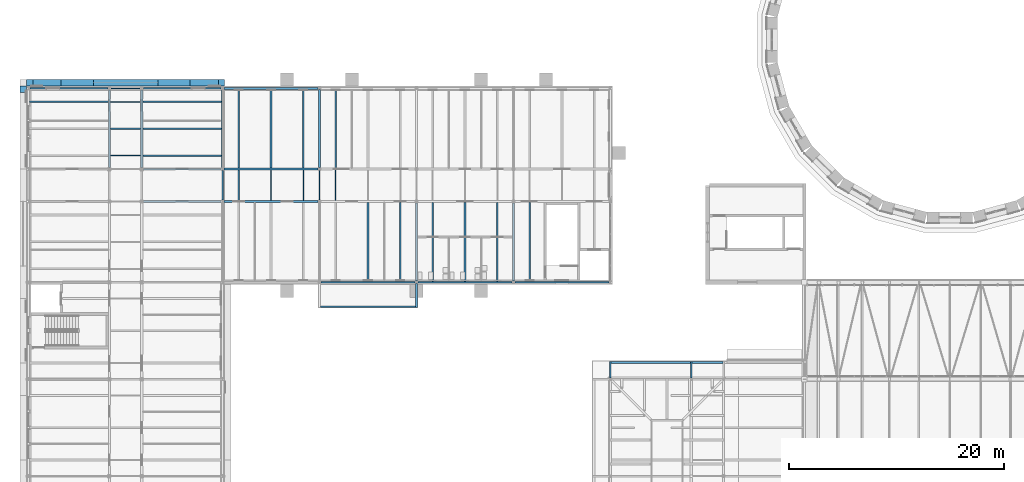
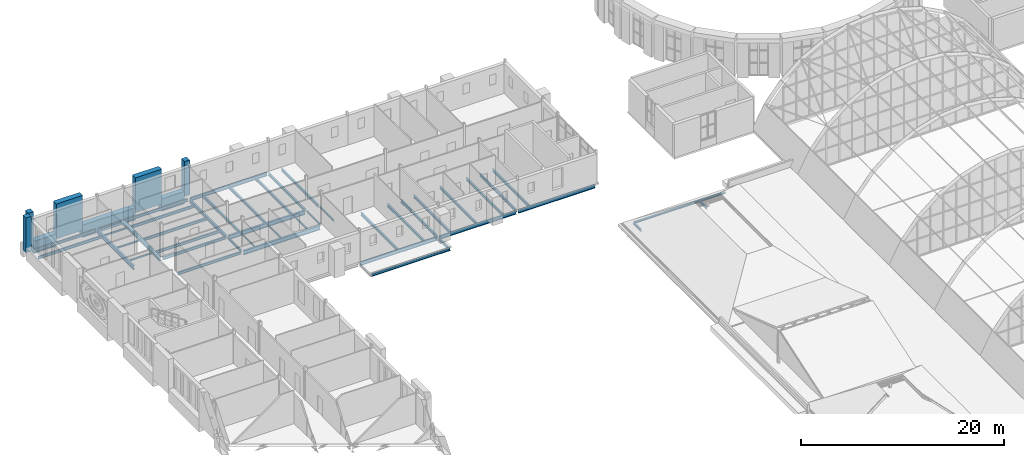
# One storey, part 49 of 121: 49 beams, 5 members.
"""IFC4 building model written with IfcOpenShell, lengths in metres."""

from ifc_helpers import new_model, si_unit, direction, frame, origin, origin_2d, place, context, subcontext, project, spatial, rectangle, i_section, extrude, material, material_profile, profile_set, type_object, element, save


model = new_model("IFC4")

# Units and contexts
model_context = context("Model", 3, precision=1e-05, world=origin(), true_north=direction((0.0, 1.0)))
body_context = subcontext(model_context, "Body", "Model", "MODEL_VIEW")
ifc_project = project(units=[si_unit("LENGTHUNIT", "METRE"), si_unit("AREAUNIT", "SQUARE_METRE"), si_unit("VOLUMEUNIT", "CUBIC_METRE"), si_unit("PLANEANGLEUNIT", "RADIAN"), si_unit("MASSUNIT", "GRAM", prefix="KILO")], contexts=[model_context])

# Site, building, storey
site_placement = place(None, origin())
site = spatial("IfcSite", under=ifc_project, at=site_placement, CompositionType="ELEMENT")
building_placement = place(site_placement, origin())
building = spatial("IfcBuilding", under=site, at=building_placement, Name="Golden Quay Civic Hall", CompositionType="ELEMENT")
storey_placement = place(building_placement, frame((0.0, 0.0, 18.60009765625)))
storey = spatial("IfcBuildingStorey", under=building, at=storey_placement, Name="L04", CompositionType="ELEMENT", Elevation=18.60009765625)

# Beams
ifc_material_1 = material(Name="Steel S355", Category="steel")
ifc_material_profile_1 = material_profile(ifc_material_1, i_section(OverallWidth=0.199951171875, OverallDepth=0.18994140625, WebThickness=0.006591796875, FlangeThickness=0.010009765625, FilletRadius=0.01806640625, at=origin_2d()), Name="HEA 200")
ifc_profile_set_1 = profile_set([ifc_material_profile_1], Name="Steel S355")
beam_type_1 = type_object("IfcBeamType", Name="Eave edge beam HEA 200", PredefinedType="BEAM", material=ifc_profile_set_1)
beam_1_placement = place(storey_placement, frame((54.0673828125, 55.550048828125, -0.34521484375), z_axis=(1.0, 0.0, 0.0), x_axis=(0.0, 1.0, 0.0)))
element("IfcBeam", 1, at=beam_1_placement, inside=storey, type_object=beam_type_1, Name="Eave edge beam HEA 200 L04 7", PredefinedType="BEAM", context=body_context, shape_type="SweptSolid", body=[
    extrude(i_section(OverallWidth=0.199951171875, OverallDepth=0.18994140625, WebThickness=0.006591796875, FlangeThickness=0.010009765625, FilletRadius=0.01806640625, at=origin_2d()), origin(), (0.0, 0.0, 1.0), 7.365234375),
])
beam_2_placement = place(storey_placement, frame((61.5673828125, 55.550048828125, -0.34521484375), z_axis=(1.0, 0.0, 0.0), x_axis=(0.0, 1.0, 0.0)))
element("IfcBeam", 2, at=beam_2_placement, inside=storey, type_object=beam_type_1, Name="Eave edge beam HEA 200 L04 8", PredefinedType="BEAM", context=body_context, shape_type="SweptSolid", body=[
    extrude(i_section(OverallWidth=0.199951171875, OverallDepth=0.18994140625, WebThickness=0.006591796875, FlangeThickness=0.010009765625, FilletRadius=0.01806640625, at=origin_2d()), origin(), (0.0, 0.0, 1.0), 2.865234375),
])
ifc_material_2 = material(Name="Steel S355", Category="steel")
ifc_material_profile_2 = material_profile(ifc_material_2, i_section(OverallWidth=0.135009765625, OverallDepth=0.27001953125, WebThickness=0.006591796875, FlangeThickness=0.01025390625, FilletRadius=0.014892578125, at=origin_2d()), Name="IPE 270")
ifc_profile_set_2 = profile_set([ifc_material_profile_2], Name="Steel S355")
beam_type_2 = type_object("IfcBeamType", Name="Eave stub IPE 270", PredefinedType="BEAM", material=ifc_profile_set_2)
for number, where, z_axis, x_axis, name in (
    (3, (54.0, 54.094970703125, -0.385009765625), (0.0, 1.0, 0.0), (-1.0, 0.0, 0.0), "Eave stub IPE 270 L04 8"),
    (4, (61.5, 54.094970703125, -0.385009765625), (0.0, 1.0, 0.0), (-1.0, 0.0, 0.0), "Eave stub IPE 270 L04 9"),
):
    element("IfcBeam", number, at=place(storey_placement, frame(where, z_axis=z_axis, x_axis=x_axis)), inside=storey, type_object=beam_type_2, Name=name, PredefinedType="BEAM", context=body_context, shape_type="SweptSolid", body=[
        extrude(i_section(OverallWidth=0.135009765625, OverallDepth=0.27001953125, WebThickness=0.006591796875, FlangeThickness=0.01025390625, FilletRadius=0.014892578125, at=origin_2d()), origin(), (0.0, 0.0, 1.0), 1.554931640625),
    ])
ifc_material_3 = material(Name="Steel S355", Category="steel")
ifc_material_profile_3 = material_profile(ifc_material_3, i_section(OverallWidth=0.159912109375, OverallDepth=0.330078125, WebThickness=0.007568359375, FlangeThickness=0.011474609375, FilletRadius=0.01806640625, at=origin_2d()), Name="IPE 330")
ifc_profile_set_3 = profile_set([ifc_material_profile_3], Name="Steel S355")
beam_type_3 = type_object("IfcBeamType", Name="Loggia head beam IPE 330", PredefinedType="BEAM", material=ifc_profile_set_3)
beam_3_placement = place(storey_placement, frame((27.080078125, 60.72998046875, -0.364990234375), z_axis=(1.0, 0.0, 0.0), x_axis=(0.0, 1.0, 0.0)))
element("IfcBeam", 5, at=beam_3_placement, inside=storey, type_object=beam_type_3, Name="Loggia head beam IPE 330 L04 1", PredefinedType="BEAM", context=body_context, shape_type="SweptSolid", body=[
    extrude(i_section(OverallWidth=0.159912109375, OverallDepth=0.330078125, WebThickness=0.007568359375, FlangeThickness=0.011474609375, FilletRadius=0.01806640625, at=origin_2d()), origin(), (0.0, 0.0, 1.0), 8.83984375),
])
ifc_material_4 = material(Name="Steel S355", Category="steel")
ifc_material_profile_4 = material_profile(ifc_material_4, i_section(OverallWidth=0.159912109375, OverallDepth=0.330078125, WebThickness=0.007568359375, FlangeThickness=0.011474609375, FilletRadius=0.01806640625, at=origin_2d()), Name="IPE 330")
ifc_profile_set_4 = profile_set([ifc_material_profile_4], Name="Steel S355")
beam_type_4 = type_object("IfcBeamType", Name="Loggia stub IPE 330", PredefinedType="BEAM", material=ifc_profile_set_4)
beam_4_placement = place(storey_placement, frame((36.0, 62.905029296875, -0.364990234375), z_axis=(0.0, -1.0, 0.0), x_axis=(1.0, 0.0, 0.0)))
element("IfcBeam", 6, at=beam_4_placement, inside=storey, type_object=beam_type_4, Name="Loggia stub IPE 330 L04 2", PredefinedType="BEAM", context=body_context, shape_type="SweptSolid", body=[
    extrude(i_section(OverallWidth=0.159912109375, OverallDepth=0.330078125, WebThickness=0.007568359375, FlangeThickness=0.011474609375, FilletRadius=0.01806640625, at=origin_2d()), origin(), (0.0, 0.0, 1.0), 2.255126953125),
])

# Members
ifc_material_5 = material(Name="Concrete C40/50", Category="concrete")
ifc_material_profile_5 = material_profile(ifc_material_5, rectangle(XDim=3.0, YDim=0.60009765625, at=origin_2d()), Name="RC 3000x600")
ifc_profile_set_5 = profile_set([ifc_material_profile_5], Name="Concrete C40/50")
member_type_1 = type_object("IfcMemberType", Name="Precast concrete facade pier 3000 x 600", PredefinedType="POST", material=ifc_profile_set_5)
for number, where, z_axis, x_axis, name in (
    (7, (4.5, 81.5, 0.0), (0.0, 0.0, 1.0), (1.0, 0.0, 0.0), "Precast concrete facade pier 3000 x 600 L04 9"),
    (8, (13.5, 81.5, 0.0), (0.0, 0.0, 1.0), (1.0, 0.0, 0.0), "Precast concrete facade pier 3000 x 600 L04 10"),
):
    element("IfcMember", number, at=place(storey_placement, frame(where, z_axis=z_axis, x_axis=x_axis)), inside=storey, type_object=member_type_1, Name=name, PredefinedType="POST", context=body_context, shape_type="SweptSolid", body=[
        extrude(rectangle(XDim=3.0, YDim=0.60009765625, at=origin_2d()), origin(), (0.0, 0.0, 1.0), 4.199951171875),
    ])
ifc_material_6 = material(Name="Concrete C40/50", Category="concrete")
ifc_material_profile_6 = material_profile(ifc_material_6, rectangle(XDim=0.60009765625, YDim=0.60009765625, at=origin_2d()), Name="RC 600x600")
ifc_profile_set_6 = profile_set([ifc_material_profile_6], Name="Concrete C40/50")
member_type_2 = type_object("IfcMemberType", Name="Precast concrete facade post 600 x 600", PredefinedType="POST", material=ifc_profile_set_6)
for number, where, z_axis, x_axis, name in (
    (9, (-0.5, 80.89990234375, 0.0), (0.0, 0.0, 1.0), (1.0, 0.0, 0.0), "Precast concrete facade post 600 x 600 L04 1"),
    (10, (0.10009765625, 81.5, 0.0), (0.0, 0.0, 1.0), (1.0, 0.0, 0.0), "Precast concrete facade post 600 x 600 L04 2"),
    (11, (17.89990234375, 81.5, 0.0), (0.0, 0.0, 1.0), (1.0, 0.0, 0.0), "Precast concrete facade post 600 x 600 L04 3"),
):
    element("IfcMember", number, at=place(storey_placement, frame(where, z_axis=z_axis, x_axis=x_axis)), inside=storey, type_object=member_type_2, Name=name, PredefinedType="POST", context=body_context, shape_type="SweptSolid", body=[
        extrude(rectangle(XDim=0.60009765625, YDim=0.60009765625, at=origin_2d()), origin(), (0.0, 0.0, 1.0), 4.199951171875),
    ])

# Beams
ifc_material_7 = material(Name="Concrete C40/50", Category="concrete")
ifc_material_profile_7 = material_profile(ifc_material_7, rectangle(XDim=0.60009765625, YDim=1.5, at=origin_2d()), Name="RC 600x1500")
ifc_profile_set_7 = profile_set([ifc_material_profile_7], Name="Concrete C40/50")
beam_type_5 = type_object("IfcBeamType", Name="Precast concrete spandrel beam 600 x 1500", PredefinedType="SPANDREL", material=ifc_profile_set_7)
for number, where, z_axis, x_axis, name in (
    (12, (0.39990234375, 81.5, -0.150146484375), (1.0, 0.0, 0.0), (0.0, 1.0, 0.0), "Precast concrete spandrel beam 600 x 1500 L04 2"),
    (13, (15.0, 81.5, -0.150146484375), (1.0, 0.0, 0.0), (0.0, 1.0, 0.0), "Precast concrete spandrel beam 600 x 1500 L04 4"),
):
    element("IfcBeam", number, at=place(storey_placement, frame(where, z_axis=z_axis, x_axis=x_axis)), inside=storey, type_object=beam_type_5, Name=name, PredefinedType="SPANDREL", context=body_context, shape_type="SweptSolid", body=[
        extrude(rectangle(XDim=0.60009765625, YDim=1.5, at=origin_2d()), origin(), (0.0, 0.0, 1.0), 2.60009765625),
    ])
beam_5_placement = place(storey_placement, frame((6.0, 81.5, -0.150146484375), z_axis=(1.0, 0.0, 0.0), x_axis=(0.0, 1.0, 0.0)))
element("IfcBeam", 14, at=beam_5_placement, inside=storey, type_object=beam_type_5, Name="Precast concrete spandrel beam 600 x 1500 L04 5", PredefinedType="SPANDREL", context=body_context, shape_type="SweptSolid", body=[
    extrude(rectangle(XDim=0.60009765625, YDim=1.5, at=origin_2d()), origin(), (0.0, 0.0, 1.0), 6.0),
])
ifc_material_8 = material(Name="Steel S355", Category="steel")
ifc_material_profile_8 = material_profile(ifc_material_8, i_section(OverallWidth=0.10009765625, OverallDepth=0.199951171875, WebThickness=0.005615234375, FlangeThickness=0.008544921875, FilletRadius=0.011962890625, at=origin_2d()), Name="IPE 200")
ifc_profile_set_8 = profile_set([ifc_material_profile_8], Name="Steel S355")
beam_type_6 = type_object("IfcBeamType", Name="Steel beam IPE 200", PredefinedType="BEAM", material=ifc_profile_set_8)
beam_6_placement = place(storey_placement, frame((7.639892578125, 81.0, -0.300048828125), z_axis=(1.0, 0.0, 0.0), x_axis=(0.0, 1.0, 0.0)))
element("IfcBeam", 15, at=beam_6_placement, inside=storey, type_object=beam_type_6, Name="Beam S81-7.5", PredefinedType="BEAM", context=body_context, shape_type="SweptSolid", body=[
    extrude(i_section(OverallWidth=0.10009765625, OverallDepth=0.199951171875, WebThickness=0.005615234375, FlangeThickness=0.008544921875, FilletRadius=0.011962890625, at=origin_2d()), origin(), (0.0, 0.0, 1.0), 2.72021484375),
])
beam_7_placement = place(storey_placement, frame((27.0, 70.635009765625, -0.300048828125), z_axis=(0.0, 1.0, 0.0), x_axis=(-1.0, 0.0, 0.0)))
element("IfcBeam", 16, at=beam_7_placement, inside=storey, type_object=beam_type_6, Name="Beam S27-70.5", PredefinedType="BEAM", context=body_context, shape_type="SweptSolid", body=[
    extrude(i_section(OverallWidth=0.10009765625, OverallDepth=0.199951171875, WebThickness=0.005615234375, FlangeThickness=0.008544921875, FilletRadius=0.011962890625, at=origin_2d()), origin(), (0.0, 0.0, 1.0), 2.72998046875),
])
ifc_material_9 = material(Name="Steel S355", Category="steel")
ifc_material_profile_9 = material_profile(ifc_material_9, i_section(OverallWidth=0.135009765625, OverallDepth=0.27001953125, WebThickness=0.006591796875, FlangeThickness=0.01025390625, FilletRadius=0.014892578125, at=origin_2d()), Name="IPE 270")
ifc_profile_set_9 = profile_set([ifc_material_profile_9], Name="Steel S355")
beam_type_7 = type_object("IfcBeamType", Name="Steel beam IPE 270", PredefinedType="BEAM", material=ifc_profile_set_9)
beam_8_placement = place(storey_placement, frame((18.0, 70.635009765625, -0.335205078125), z_axis=(0.0, 1.0, 0.0), x_axis=(-1.0, 0.0, 0.0)))
element("IfcBeam", 17, at=beam_8_placement, inside=storey, type_object=beam_type_7, Name="Beam L18-70.5", PredefinedType="BEAM", context=body_context, shape_type="SweptSolid", body=[
    extrude(i_section(OverallWidth=0.135009765625, OverallDepth=0.27001953125, WebThickness=0.006591796875, FlangeThickness=0.01025390625, FilletRadius=0.014892578125, at=origin_2d()), origin(), (0.0, 0.0, 1.0), 2.72998046875),
])
ifc_material_10 = material(Name="Steel S355", Category="steel")
ifc_material_profile_10 = material_profile(ifc_material_10, i_section(OverallWidth=0.159912109375, OverallDepth=0.330078125, WebThickness=0.007568359375, FlangeThickness=0.011474609375, FilletRadius=0.01806640625, at=origin_2d()), Name="IPE 330")
ifc_profile_set_10 = profile_set([ifc_material_profile_10], Name="Steel S355")
beam_type_8 = type_object("IfcBeamType", Name="Steel beam IPE 330", PredefinedType="BEAM", material=ifc_profile_set_10)
for number, where, z_axis, x_axis, name in (
    (18, (10.64990234375, 70.5, -0.364990234375), (1.0, 0.0, 0.0), (0.0, 1.0, 0.0), "Beam S70.5-10.5"),
    (19, (10.64990234375, 73.5, -0.364990234375), (1.0, 0.0, 0.0), (0.0, 1.0, 0.0), "Beam S73.5-10.5"),
):
    element("IfcBeam", number, at=place(storey_placement, frame(where, z_axis=z_axis, x_axis=x_axis)), inside=storey, type_object=beam_type_8, Name=name, PredefinedType="BEAM", context=body_context, shape_type="SweptSolid", body=[
        extrude(i_section(OverallWidth=0.159912109375, OverallDepth=0.330078125, WebThickness=0.007568359375, FlangeThickness=0.011474609375, FilletRadius=0.01806640625, at=origin_2d()), origin(), (0.0, 0.0, 1.0), 7.210205078125),
    ])
for number, where, z_axis, x_axis, name in (
    (20, (0.139892578125, 81.0, -0.364990234375), (1.0, 0.0, 0.0), (0.0, 1.0, 0.0), "Beam S81-0"),
    (21, (10.639892578125, 81.0, -0.364990234375), (1.0, 0.0, 0.0), (0.0, 1.0, 0.0), "Beam S81-10.5"),
):
    element("IfcBeam", number, at=place(storey_placement, frame(where, z_axis=z_axis, x_axis=x_axis)), inside=storey, type_object=beam_type_8, Name=name, PredefinedType="BEAM", context=body_context, shape_type="SweptSolid", body=[
        extrude(i_section(OverallWidth=0.159912109375, OverallDepth=0.330078125, WebThickness=0.007568359375, FlangeThickness=0.011474609375, FilletRadius=0.01806640625, at=origin_2d()), origin(), (0.0, 0.0, 1.0), 7.22021484375),
    ])
for number, where, z_axis, x_axis, name in (
    (22, (27.0, 73.635009765625, -0.364990234375), (0.0, 1.0, 0.0), (-1.0, 0.0, 0.0), "Beam S27-73.5"),
    (23, (36.0, 63.114990234375, -0.364990234375), (0.0, 1.0, 0.0), (-1.0, 0.0, 0.0), "Beam S36-63"),
    (24, (45.0, 63.114990234375, -0.364990234375), (0.0, 1.0, 0.0), (-1.0, 0.0, 0.0), "Beam S45-63"),
):
    element("IfcBeam", number, at=place(storey_placement, frame(where, z_axis=z_axis, x_axis=x_axis)), inside=storey, type_object=beam_type_8, Name=name, PredefinedType="BEAM", context=body_context, shape_type="SweptSolid", body=[
        extrude(i_section(OverallWidth=0.159912109375, OverallDepth=0.330078125, WebThickness=0.007568359375, FlangeThickness=0.011474609375, FilletRadius=0.01806640625, at=origin_2d()), origin(), (0.0, 0.0, 1.0), 7.25),
    ])
ifc_material_11 = material(Name="Steel S355", Category="steel")
ifc_material_profile_11 = material_profile(ifc_material_11, i_section(OverallWidth=0.179931640625, OverallDepth=0.39990234375, WebThickness=0.008544921875, FlangeThickness=0.013427734375, FilletRadius=0.02099609375, at=origin_2d()), Name="IPE 400")
ifc_profile_set_11 = profile_set([ifc_material_profile_11], Name="Steel S355")
beam_type_9 = type_object("IfcBeamType", Name="Steel beam IPE 400", PredefinedType="BEAM", material=ifc_profile_set_11)
beam_9_placement = place(storey_placement, frame((18.0, 73.635009765625, -0.400146484375), z_axis=(0.0, 1.0, 0.0), x_axis=(-1.0, 0.0, 0.0)))
element("IfcBeam", 25, at=beam_9_placement, inside=storey, type_object=beam_type_9, Name="Beam L18-73.5", PredefinedType="BEAM", context=body_context, shape_type="SweptSolid", body=[
    extrude(i_section(OverallWidth=0.179931640625, OverallDepth=0.39990234375, WebThickness=0.008544921875, FlangeThickness=0.013427734375, FilletRadius=0.02099609375, at=origin_2d()), origin(), (0.0, 0.0, 1.0), 7.22998046875),
])
for number, where, z_axis, x_axis, name in (
    (26, (27.1201171875, 63.0, -0.400146484375), (1.0, 0.0, 0.0), (0.0, 1.0, 0.0), "Beam L63-27"),
    (27, (36.1201171875, 63.0, -0.400146484375), (1.0, 0.0, 0.0), (0.0, 1.0, 0.0), "Beam L63-36"),
    (28, (45.1201171875, 63.0, -0.400146484375), (1.0, 0.0, 0.0), (0.0, 1.0, 0.0), "Beam L63-45"),
):
    element("IfcBeam", number, at=place(storey_placement, frame(where, z_axis=z_axis, x_axis=x_axis)), inside=storey, type_object=beam_type_9, Name=name, PredefinedType="BEAM", context=body_context, shape_type="SweptSolid", body=[
        extrude(i_section(OverallWidth=0.179931640625, OverallDepth=0.39990234375, WebThickness=0.008544921875, FlangeThickness=0.013427734375, FilletRadius=0.02099609375, at=origin_2d()), origin(), (0.0, 0.0, 1.0), 8.759765625),
    ])
beam_10_placement = place(storey_placement, frame((18.139892578125, 81.0, -0.400146484375), z_axis=(1.0, 0.0, 0.0), x_axis=(0.0, 1.0, 0.0)))
element("IfcBeam", 29, at=beam_10_placement, inside=storey, type_object=beam_type_9, Name="Beam L81-18", PredefinedType="BEAM", context=body_context, shape_type="SweptSolid", body=[
    extrude(i_section(OverallWidth=0.179931640625, OverallDepth=0.39990234375, WebThickness=0.008544921875, FlangeThickness=0.013427734375, FilletRadius=0.02099609375, at=origin_2d()), origin(), (0.0, 0.0, 1.0), 8.739990234375),
])
ifc_material_12 = material(Name="Steel S355", Category="steel")
ifc_material_profile_12 = material_profile(ifc_material_12, i_section(OverallWidth=0.199951171875, OverallDepth=0.5, WebThickness=0.01025390625, FlangeThickness=0.01611328125, FilletRadius=0.02099609375, at=origin_2d()), Name="IPE 500")
ifc_profile_set_12 = profile_set([ifc_material_profile_12], Name="Steel S355")
beam_type_10 = type_object("IfcBeamType", Name="Steel beam IPE 500", PredefinedType="BEAM", material=ifc_profile_set_12)
for number, where, z_axis, x_axis, name in (
    (30, (7.5, 73.64501953125, -0.4501953125), (0.0, 1.0, 0.0), (-1.0, 0.0, 0.0), "Beam L7.5-73.5"),
    (31, (10.5, 73.64501953125, -0.4501953125), (0.0, 1.0, 0.0), (-1.0, 0.0, 0.0), "Beam L10.5-73.5"),
):
    element("IfcBeam", number, at=place(storey_placement, frame(where, z_axis=z_axis, x_axis=x_axis)), inside=storey, type_object=beam_type_10, Name=name, PredefinedType="BEAM", context=body_context, shape_type="SweptSolid", body=[
        extrude(i_section(OverallWidth=0.199951171875, OverallDepth=0.5, WebThickness=0.01025390625, FlangeThickness=0.01611328125, FilletRadius=0.02099609375, at=origin_2d()), origin(), (0.0, 0.0, 1.0), 7.219970703125),
    ])
for number, where, z_axis, x_axis, name in (
    (32, (18.139892578125, 70.5, -0.4501953125), (1.0, 0.0, 0.0), (0.0, 1.0, 0.0), "Beam L70.5-18"),
    (33, (18.139892578125, 73.5, -0.4501953125), (1.0, 0.0, 0.0), (0.0, 1.0, 0.0), "Beam L73.5-18"),
):
    element("IfcBeam", number, at=place(storey_placement, frame(where, z_axis=z_axis, x_axis=x_axis)), inside=storey, type_object=beam_type_10, Name=name, PredefinedType="BEAM", context=body_context, shape_type="SweptSolid", body=[
        extrude(i_section(OverallWidth=0.199951171875, OverallDepth=0.5, WebThickness=0.01025390625, FlangeThickness=0.01611328125, FilletRadius=0.02099609375, at=origin_2d()), origin(), (0.0, 0.0, 1.0), 8.72021484375),
    ])
ifc_material_13 = material(Name="Steel S355", Category="steel")
ifc_material_profile_13 = material_profile(ifc_material_13, i_section(OverallWidth=0.10009765625, OverallDepth=0.199951171875, WebThickness=0.005615234375, FlangeThickness=0.008544921875, FilletRadius=0.011962890625, at=origin_2d()), Name="IPE 200")
ifc_profile_set_13 = profile_set([ifc_material_profile_13], Name="Steel S355")
beam_type_11 = type_object("IfcBeamType", Name="Steel joist IPE 200", PredefinedType="JOIST", material=ifc_profile_set_13)
for number, where, z_axis, x_axis, name in (
    (34, (7.60009765625, 74.75, -0.300048828125), (1.0, 0.0, 0.0), (0.0, 1.0, 0.0), "Joist J74.75-7.5"),
    (35, (7.60009765625, 77.25, -0.300048828125), (1.0, 0.0, 0.0), (0.0, 1.0, 0.0), "Joist J77.25-7.5"),
    (36, (7.60009765625, 79.75, -0.300048828125), (1.0, 0.0, 0.0), (0.0, 1.0, 0.0), "Joist J79.75-7.5"),
    (37, (19.5, 70.60009765625, -0.300048828125), (0.0, 1.0, 0.0), (-1.0, 0.0, 0.0), "Joist J19.5-70.5"),
    (38, (22.5, 70.60009765625, -0.300048828125), (0.0, 1.0, 0.0), (-1.0, 0.0, 0.0), "Joist J22.5-70.5"),
    (39, (25.5, 70.60009765625, -0.300048828125), (0.0, 1.0, 0.0), (-1.0, 0.0, 0.0), "Joist J25.5-70.5"),
    (40, (28.5, 70.60009765625, -0.300048828125), (0.0, 1.0, 0.0), (-1.0, 0.0, 0.0), "Joist J28.5-70.5"),
):
    element("IfcBeam", number, at=place(storey_placement, frame(where, z_axis=z_axis, x_axis=x_axis)), inside=storey, type_object=beam_type_11, Name=name, PredefinedType="JOIST", context=body_context, shape_type="SweptSolid", body=[
        extrude(i_section(OverallWidth=0.10009765625, OverallDepth=0.199951171875, WebThickness=0.005615234375, FlangeThickness=0.008544921875, FilletRadius=0.011962890625, at=origin_2d()), origin(), (0.0, 0.0, 1.0), 2.7998046875),
    ])
ifc_material_14 = material(Name="Steel S355", Category="steel")
ifc_material_profile_14 = material_profile(ifc_material_14, i_section(OverallWidth=0.159912109375, OverallDepth=0.330078125, WebThickness=0.007568359375, FlangeThickness=0.011474609375, FilletRadius=0.01806640625, at=origin_2d()), Name="IPE 330")
ifc_profile_set_14 = profile_set([ifc_material_profile_14], Name="Steel S355")
beam_type_12 = type_object("IfcBeamType", Name="Steel joist IPE 330", PredefinedType="JOIST", material=ifc_profile_set_14)
for number, where, z_axis, x_axis, name in (
    (41, (10.60009765625, 74.75, -0.364990234375), (1.0, 0.0, 0.0), (0.0, 1.0, 0.0), "Joist J74.75-10.5"),
    (42, (10.60009765625, 77.25, -0.364990234375), (1.0, 0.0, 0.0), (0.0, 1.0, 0.0), "Joist J77.25-10.5"),
    (43, (0.090087890625, 79.75, -0.364990234375), (1.0, 0.0, 0.0), (0.0, 1.0, 0.0), "Joist J79.75-0"),
    (44, (10.60009765625, 79.75, -0.364990234375), (1.0, 0.0, 0.0), (0.0, 1.0, 0.0), "Joist J79.75-10.5"),
    (45, (19.5, 73.60009765625, -0.364990234375), (0.0, 1.0, 0.0), (-1.0, 0.0, 0.0), "Joist J19.5-73.5"),
    (46, (22.5, 73.60009765625, -0.364990234375), (0.0, 1.0, 0.0), (-1.0, 0.0, 0.0), "Joist J22.5-73.5"),
    (47, (25.5, 73.60009765625, -0.364990234375), (0.0, 1.0, 0.0), (-1.0, 0.0, 0.0), "Joist J25.5-73.5"),
    (48, (28.5, 73.60009765625, -0.364990234375), (0.0, 1.0, 0.0), (-1.0, 0.0, 0.0), "Joist J28.5-73.5"),
    (49, (31.5, 63.090087890625, -0.364990234375), (0.0, 1.0, 0.0), (-1.0, 0.0, 0.0), "Joist J31.5-63"),
    (50, (34.5, 63.090087890625, -0.364990234375), (0.0, 1.0, 0.0), (-1.0, 0.0, 0.0), "Joist J34.5-63"),
    (51, (37.5, 63.090087890625, -0.364990234375), (0.0, 1.0, 0.0), (-1.0, 0.0, 0.0), "Joist J37.5-63"),
    (52, (40.5, 63.090087890625, -0.364990234375), (0.0, 1.0, 0.0), (-1.0, 0.0, 0.0), "Joist J40.5-63"),
    (53, (43.5, 63.090087890625, -0.364990234375), (0.0, 1.0, 0.0), (-1.0, 0.0, 0.0), "Joist J43.5-63"),
    (54, (46.5, 63.090087890625, -0.364990234375), (0.0, 1.0, 0.0), (-1.0, 0.0, 0.0), "Joist J46.5-63"),
):
    element("IfcBeam", number, at=place(storey_placement, frame(where, z_axis=z_axis, x_axis=x_axis)), inside=storey, type_object=beam_type_12, Name=name, PredefinedType="JOIST", context=body_context, shape_type="SweptSolid", body=[
        extrude(i_section(OverallWidth=0.159912109375, OverallDepth=0.330078125, WebThickness=0.007568359375, FlangeThickness=0.011474609375, FilletRadius=0.01806640625, at=origin_2d()), origin(), (0.0, 0.0, 1.0), 7.309814453125),
    ])

save(model, "model.ifc")
